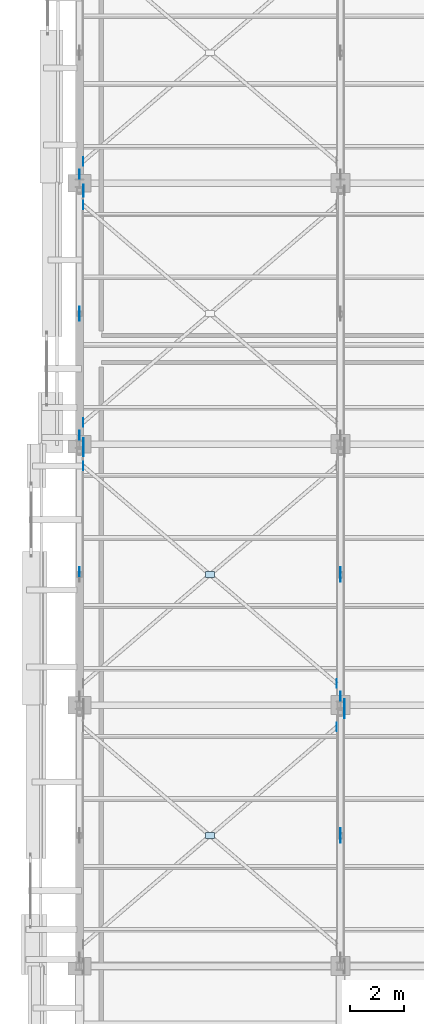
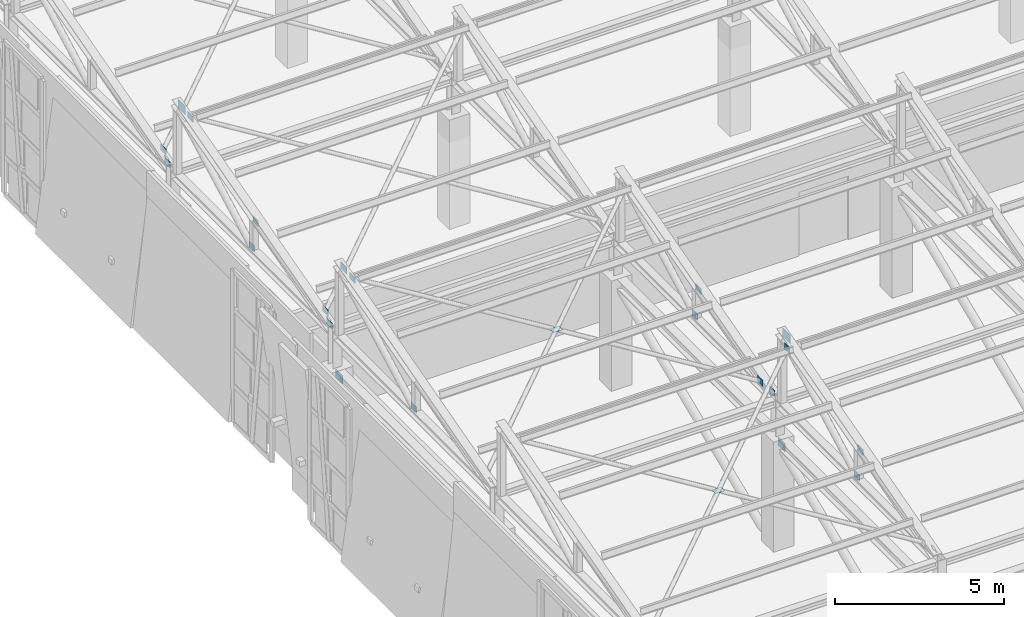
# One storey, part 40 of 71: 23 plates.
"""IFC4 building model written with IfcOpenShell, lengths in metres."""

from ifc_helpers import new_model, si_unit, direction, frame, origin, origin_2d, place, context, subcontext, project, spatial, rectangle, extrude, material, layer, layer_set, type_object, element, save


model = new_model("IFC4")

# Units and contexts
model_context = context("Model", 3, precision=1e-05, world=origin(), true_north=direction((0.0, 1.0)))
body_context = subcontext(model_context, "Body", "Model", "MODEL_VIEW")
ifc_project = project(units=[si_unit("LENGTHUNIT", "METRE"), si_unit("AREAUNIT", "SQUARE_METRE"), si_unit("VOLUMEUNIT", "CUBIC_METRE"), si_unit("PLANEANGLEUNIT", "RADIAN"), si_unit("MASSUNIT", "GRAM", prefix="KILO")], contexts=[model_context])

# Site, building, storey
site_placement = place(None, origin())
site = spatial("IfcSite", under=ifc_project, at=site_placement, CompositionType="ELEMENT")
building_placement = place(site_placement, origin())
building = spatial("IfcBuilding", under=site, at=building_placement, Name="Bempovik Park Faculty of Sciences", CompositionType="ELEMENT")
storey_placement = place(building_placement, frame((0.0, 0.0, 14.10009765625)))
storey = spatial("IfcBuildingStorey", under=building, at=storey_placement, Name="L03", CompositionType="ELEMENT", Elevation=14.10009765625)

# Plates
ifc_material = material(Name="Steel S355", Category="steel")
ifc_layer_1 = layer(ifc_material, 0.01611328125)
ifc_layer_set_1 = layer_set([ifc_layer_1], Name="Steel S355")
plate_type_1 = type_object("IfcPlateType", Name="PL-19 Steel Plate 350x240x16", PredefinedType="USERDEFINED", material=ifc_layer_set_1)
plate_1_placement = place(storey_placement, frame((60.14599609375, 38.72998046875, 7.484375), z_axis=(0.0, 0.0, 1.0), x_axis=(1.0, 0.0, 0.0)))
element("IfcPlate", 1, at=plate_1_placement, inside=storey, type_object=plate_type_1, Name="Sawtooth Ridge Gusset Plate V1-B2-60.0", ObjectType="STIFFENER PLATE", PredefinedType="USERDEFINED", context=body_context, shape_type="SweptSolid", body=[
    extrude(rectangle(XDim=0.01611328125, YDim=0.35009765625, at=origin_2d()), origin(), (0.0, 0.0, 1.0), 0.239990234375),
])
ifc_layer_2 = layer(ifc_material, 0.01806640625)
ifc_layer_set_2 = layer_set([ifc_layer_2], Name="Steel S355")
plate_type_2 = type_object("IfcPlateType", Name="PL-22 Steel Plate 420x300x18", PredefinedType="SHEET", material=ifc_layer_set_2)
for number, where, z_axis, x_axis, name in (
    (2, (60.139892578125, 39.0, 3.3701171875), (0.0, 0.0, 1.0), (1.0, 0.0, 0.0), "Cantilever Gusset Plate CT1-5-T"),
    (3, (69.739990234375, 29.39990234375, 3.3701171875), (0.0, 0.0, 1.0), (1.0, 0.0, 0.0), "Cantilever Gusset Plate CT2-4-T"),
):
    element("IfcPlate", number, at=place(storey_placement, frame(where, z_axis=z_axis, x_axis=x_axis)), inside=storey, type_object=plate_type_2, Name=name, PredefinedType="SHEET", context=body_context, shape_type="SweptSolid", body=[
        extrude(rectangle(XDim=0.01806640625, YDim=0.419921875, at=origin_2d()), origin(), (0.0, 0.0, 1.0), 0.300048828125),
    ])
ifc_layer_3 = layer(ifc_material, 0.011962890625)
ifc_layer_set_3 = layer_set([ifc_layer_3], Name="Steel S355")
plate_type_3 = type_object("IfcPlateType", Name="PL-26 Steel Plate 320x220x12", PredefinedType="SHEET", material=ifc_layer_set_3)
plate_2_placement = place(storey_placement, frame((64.800048828125, 24.60009765625, 6.4921875), z_axis=(0.0, 0.0, 1.0), x_axis=(1.0, 0.0, 0.0)))
element("IfcPlate", 4, at=plate_2_placement, inside=storey, type_object=plate_type_3, Name="Sawtooth X-Brace Crossing Node Gusset V1-B1-60.0", PredefinedType="SHEET", context=body_context, shape_type="SweptSolid", body=[
    extrude(rectangle(XDim=0.320068359375, YDim=0.219970703125, at=origin_2d()), origin(), (0.0, 0.0, 1.0), 0.011962890625),
])
plate_3_placement = place(storey_placement, frame((69.464111328125, 28.60009765625, 7.46044921875), z_axis=(0.0, 0.0, 1.0), x_axis=(1.0, 0.0, 0.0)))
element("IfcPlate", 5, at=plate_3_placement, inside=storey, type_object=plate_type_3, Name="Sawtooth X-Brace End Gusset V1-B1-60.0-2", PredefinedType="SHEET", context=body_context, shape_type="SweptSolid", body=[
    extrude(rectangle(XDim=0.011962890625, YDim=0.320068359375, at=origin_2d()), origin(), (0.0, 0.0, 1.0), 0.219970703125),
])
plate_4_placement = place(storey_placement, frame((64.800048828125, 34.199951171875, 6.4921875), z_axis=(0.0, 0.0, 1.0), x_axis=(1.0, 0.0, 0.0)))
element("IfcPlate", 6, at=plate_4_placement, inside=storey, type_object=plate_type_3, Name="Sawtooth X-Brace Crossing Node Gusset V1-B2-60.0", PredefinedType="SHEET", context=body_context, shape_type="SweptSolid", body=[
    extrude(rectangle(XDim=0.320068359375, YDim=0.219970703125, at=origin_2d()), origin(), (0.0, 0.0, 1.0), 0.011962890625),
])
for number, where, z_axis, x_axis, name in (
    (7, (60.135986328125, 38.199951171875, 7.46044921875), (0.0, 0.0, 1.0), (1.0, 0.0, 0.0), "Sawtooth X-Brace End Gusset V1-B2-60.0-3"),
    (8, (69.464111328125, 30.199951171875, 5.31640625), (0.0, 0.0, 1.0), (1.0, 0.0, 0.0), "Sawtooth X-Brace End Gusset V1-B2-60.0-4"),
    (9, (60.135986328125, 39.800048828125, 5.31640625), (0.0, 0.0, 1.0), (1.0, 0.0, 0.0), "Sawtooth X-Brace End Gusset V1-B3-60.0-1"),
    (10, (60.135986328125, 47.800048828125, 7.46044921875), (0.0, 0.0, 1.0), (1.0, 0.0, 0.0), "Sawtooth X-Brace End Gusset V1-B3-60.0-3"),
    (11, (60.135986328125, 49.39990234375, 5.31640625), (0.0, 0.0, 1.0), (1.0, 0.0, 0.0), "Sawtooth X-Brace End Gusset V1-B4-60.0-1"),
    (12, (69.60009765625, 24.4951171875, 6.228515625), (0.0, 0.0, 1.0), (1.0, 0.0, 0.0), "Brace/Strut End Gusset Plate SAW-V1-B1-D1-696-E2"),
    (13, (69.60009765625, 24.705078125, 5.17578125), (0.0, 0.0, 1.0), (1.0, 0.0, 0.0), "Brace/Strut End Gusset Plate SAW-V1-B1-D2-696-E1"),
    (14, (60.0, 34.304931640625, 5.17578125), (0.0, 0.0, 1.0), (1.0, 0.0, 0.0), "Brace/Strut End Gusset Plate SAW-V1-B2-D2-600-E1"),
    (15, (69.60009765625, 29.72998046875, 5.17578125), (0.0, 0.0, 1.0), (1.0, 0.0, 0.0), "Brace/Strut End Gusset Plate SAW-V1-B2-D1-696-E1"),
    (16, (69.60009765625, 34.094970703125, 6.228515625), (0.0, 0.0, 1.0), (1.0, 0.0, 0.0), "Brace/Strut End Gusset Plate SAW-V1-B2-D1-696-E2"),
    (17, (69.60009765625, 34.304931640625, 5.17578125), (0.0, 0.0, 1.0), (1.0, 0.0, 0.0), "Brace/Strut End Gusset Plate SAW-V1-B2-D2-696-E1"),
    (18, (60.0, 39.330078125, 5.17578125), (0.0, 0.0, 1.0), (1.0, 0.0, 0.0), "Brace/Strut End Gusset Plate SAW-V1-B3-D1-600-E1"),
    (19, (60.0, 43.695068359375, 6.228515625), (0.0, 0.0, 1.0), (1.0, 0.0, 0.0), "Brace/Strut End Gusset Plate SAW-V1-B3-D1-600-E2"),
    (20, (60.0, 43.905029296875, 5.17578125), (0.0, 0.0, 1.0), (1.0, 0.0, 0.0), "Brace/Strut End Gusset Plate SAW-V1-B3-D2-600-E1"),
    (21, (60.0, 48.929931640625, 5.17578125), (0.0, 0.0, 1.0), (1.0, 0.0, 0.0), "Brace/Strut End Gusset Plate SAW-V1-B4-D1-600-E1"),
):
    element("IfcPlate", number, at=place(storey_placement, frame(where, z_axis=z_axis, x_axis=x_axis)), inside=storey, type_object=plate_type_3, Name=name, PredefinedType="SHEET", context=body_context, shape_type="SweptSolid", body=[
        extrude(rectangle(XDim=0.011962890625, YDim=0.320068359375, at=origin_2d()), origin(), (0.0, 0.0, 1.0), 0.219970703125),
    ])
ifc_layer_4 = layer(ifc_material, 0.01611328125)
ifc_layer_set_4 = layer_set([ifc_layer_4], Name="Steel S355")
plate_type_4 = type_object("IfcPlateType", Name="PL-33 Steel Plate 440x300x16", PredefinedType="SHEET", material=ifc_layer_set_4)
for number, where, z_axis, x_axis, name in (
    (22, (69.74609375, 29.1298828125, 7.45458984375), (0.0, 0.0, 1.0), (1.0, 0.0, 0.0), "Sawtooth Ridge Gusset Plate V1-B1-69.6"),
    (23, (60.14599609375, 48.330078125, 7.45458984375), (0.0, 0.0, 1.0), (1.0, 0.0, 0.0), "Sawtooth Ridge Gusset Plate V1-B3-60.0"),
):
    element("IfcPlate", number, at=place(storey_placement, frame(where, z_axis=z_axis, x_axis=x_axis)), inside=storey, type_object=plate_type_4, Name=name, PredefinedType="SHEET", context=body_context, shape_type="SweptSolid", body=[
        extrude(rectangle(XDim=0.01611328125, YDim=0.43994140625, at=origin_2d()), origin(), (0.0, 0.0, 1.0), 0.300048828125),
    ])

save(model, "model.ifc")
